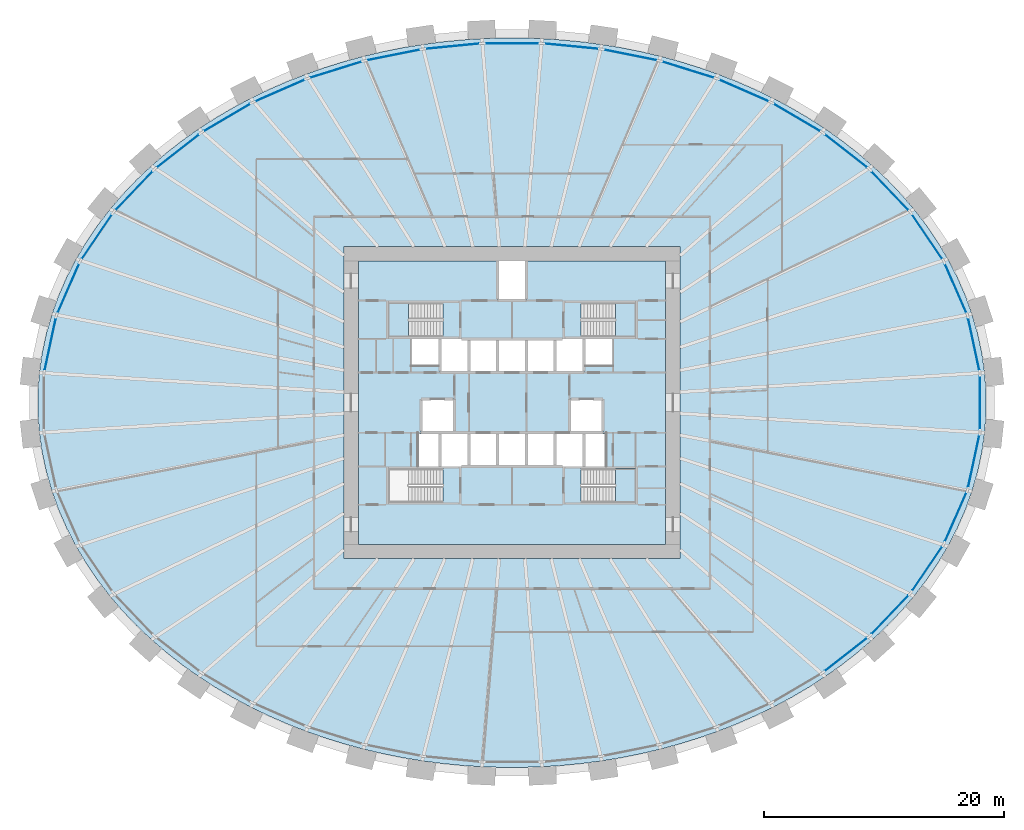
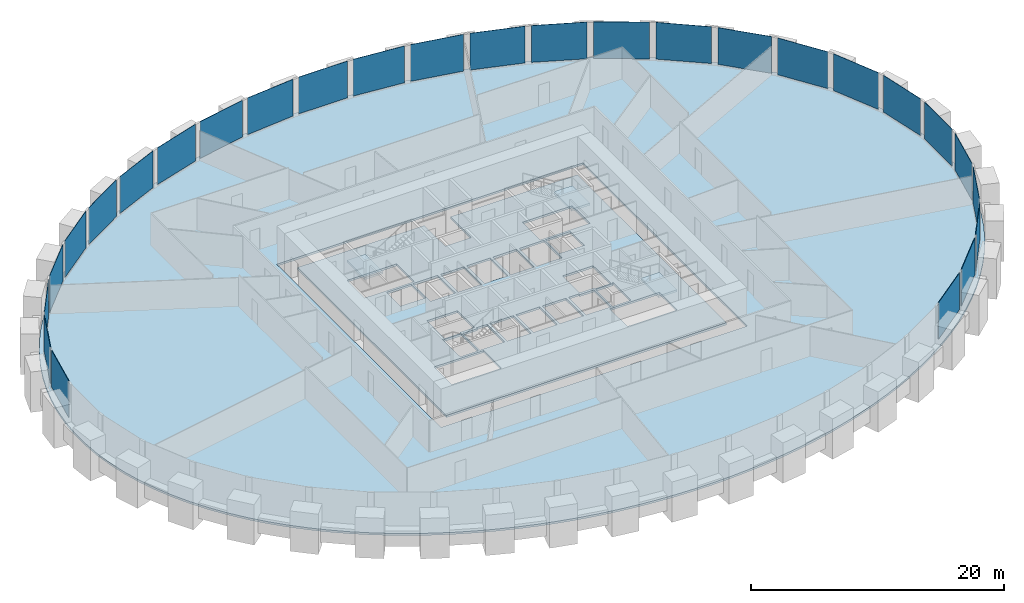
# One storey, part 5 of 11: 27 plates, 5 slabs, 4 elements without a shape of their own.
"""IFC4 building model written with IfcOpenShell, lengths in metres."""

from ifc_helpers import new_model, si_unit, direction, frame, origin, origin_2d, place, context, subcontext, project, spatial, polyline, rectangle, outline, extrude, source, transform, mapped, material, layer, layer_set, type_object, element, aggregate, save


model = new_model("IFC4")

# Units and contexts
model_context = context("Model", 3, precision=1e-05, world=origin(), true_north=direction((0.0, 1.0)))
body_context = subcontext(model_context, "Body", "Model", "MODEL_VIEW")
ifc_project = project(units=[si_unit("LENGTHUNIT", "METRE"), si_unit("AREAUNIT", "SQUARE_METRE"), si_unit("VOLUMEUNIT", "CUBIC_METRE"), si_unit("PLANEANGLEUNIT", "RADIAN"), si_unit("MASSUNIT", "GRAM", prefix="KILO")], contexts=[model_context])

# Site, building, storey
site_placement = place(None, origin())
site = spatial("IfcSite", under=ifc_project, at=site_placement, CompositionType="ELEMENT")
building_placement = place(site_placement, origin())
building = spatial("IfcBuilding", under=site, at=building_placement, Name="Embergate Tower", CompositionType="ELEMENT")
storey_placement = place(building_placement, frame((0.0, 0.0, 109.39990234375)))
storey = spatial("IfcBuildingStorey", under=building, at=storey_placement, Name="L23", CompositionType="ELEMENT", Elevation=109.39990234375)

# Slab
ifc_material_1 = material(Name="Concrete C40", Category="concrete")
ifc_layer_1 = layer(ifc_material_1, 0.199951171875)
ifc_layer_set_1 = layer_set([ifc_layer_1], Name="Concrete C40")
slab_type_1 = type_object("IfcSlabType", Name="Composite floor slab C40 200", PredefinedType="FLOOR", material=ifc_layer_set_1)
shared_shape_1 = source(origin(), body_context, "Body", "SweptSolid", [
    extrude(outline(polyline([(0.0, 0.0), (1.671875, 0.0), (3.3408203125, 0.053955078125), (5.011962890625, 0.162841796875), (6.675048828125, 0.326904296875), (8.327880859375, 0.5439453125), (9.98291015625, 0.81884765625), (11.621826171875, 1.14697265625), (13.240966796875, 1.530029296875), (14.863037109375, 1.972900390625), (16.458984375, 2.469970703125), (18.02490234375, 3.02001953125), (19.593017578125, 3.635986328125), (21.1240234375, 4.304931640625), (22.614990234375, 5.02685546875), (24.10498046875, 5.822021484375), (25.544921875, 6.6689453125), (26.932861328125, 7.56591796875), (28.31298828125, 8.544921875), (29.6298828125, 9.572998046875), (30.8818359375, 10.64794921875), (32.11083984375, 11.81201171875), (33.263916015625, 13.02099609375), (34.337890625, 14.27197265625), (35.367919921875, 15.614013671875), (36.306884765625, 16.994873046875), (37.15283203125, 18.411865234375), (37.927978515625, 19.911865234375), (38.598876953125, 21.44091796875), (39.162841796875, 22.995849609375), (39.62890625, 24.61083984375), (39.98095703125, 26.242919921875), (40.2158203125, 27.886962890625), (40.3349609375, 29.553955078125), (40.3349609375, 31.223876953125), (40.2158203125, 32.890869140625), (39.98095703125, 34.534912109375), (39.62890625, 36.1669921875), (39.162841796875, 37.781982421875), (38.598876953125, 39.3369140625), (37.927978515625, 40.865966796875), (37.15283203125, 42.365966796875), (36.306884765625, 43.782958984375), (35.367919921875, 45.163818359375), (34.337890625, 46.505859375), (33.263916015625, 47.7568359375), (32.11083984375, 48.9658203125), (30.8818359375, 50.1298828125), (29.6298828125, 51.204833984375), (28.31298828125, 52.23291015625), (26.932861328125, 53.2119140625), (25.544921875, 54.10888671875), (24.10498046875, 54.955810546875), (22.614990234375, 55.7509765625), (21.1240234375, 56.472900390625), (19.593017578125, 57.141845703125), (18.02490234375, 57.7578125), (16.458984375, 58.307861328125), (14.863037109375, 58.804931640625), (13.240966796875, 59.247802734375), (11.621826171875, 59.630859375), (9.98291015625, 59.958984375), (8.327880859375, 60.23388671875), (6.675048828125, 60.450927734375), (5.011962890625, 60.614990234375), (3.3408203125, 60.723876953125), (1.671875, 60.77783203125), (0.0, 60.77783203125), (-1.6689453125, 60.723876953125), (-3.340087890625, 60.614990234375), (-5.003173828125, 60.450927734375), (-6.656005859375, 60.23388671875), (-8.31103515625, 59.958984375), (-9.949951171875, 59.630859375), (-11.569091796875, 59.247802734375), (-13.191162109375, 58.804931640625), (-14.787109375, 58.307861328125), (-16.35302734375, 57.7578125), (-17.921142578125, 57.141845703125), (-19.4521484375, 56.472900390625), (-20.943115234375, 55.7509765625), (-22.43310546875, 54.955810546875), (-23.873046875, 54.10888671875), (-25.260986328125, 53.2119140625), (-26.64111328125, 52.23291015625), (-27.9580078125, 51.204833984375), (-29.2099609375, 50.1298828125), (-30.43896484375, 48.9658203125), (-31.592041015625, 47.7568359375), (-32.666015625, 46.505859375), (-33.696044921875, 45.163818359375), (-34.635009765625, 43.782958984375), (-35.48095703125, 42.365966796875), (-36.256103515625, 40.865966796875), (-36.927001953125, 39.3369140625), (-37.490966796875, 37.781982421875), (-37.95703125, 36.1669921875), (-38.30908203125, 34.534912109375), (-38.5439453125, 32.890869140625), (-38.6630859375, 31.223876953125), (-38.6630859375, 29.553955078125), (-38.5439453125, 27.886962890625), (-38.30908203125, 26.242919921875), (-37.95703125, 24.61083984375), (-37.490966796875, 22.995849609375), (-36.927001953125, 21.44091796875), (-36.256103515625, 19.911865234375), (-35.48095703125, 18.411865234375), (-34.635009765625, 16.994873046875), (-33.696044921875, 15.614013671875), (-32.666015625, 14.27197265625), (-31.592041015625, 13.02099609375), (-30.43896484375, 11.81201171875), (-29.2099609375, 10.64794921875), (-27.9580078125, 9.572998046875), (-26.64111328125, 8.544921875), (-25.260986328125, 7.56591796875), (-23.873046875, 6.6689453125), (-22.43310546875, 5.822021484375), (-20.943115234375, 5.02685546875), (-19.4521484375, 4.304931640625), (-17.921142578125, 3.635986328125), (-16.35302734375, 3.02001953125), (-14.787109375, 2.469970703125), (-13.191162109375, 1.972900390625), (-11.569091796875, 1.530029296875), (-9.949951171875, 1.14697265625), (-8.31103515625, 0.81884765625), (-6.656005859375, 0.5439453125), (-5.003173828125, 0.326904296875), (-3.340087890625, 0.162841796875), (-1.6689453125, 0.053955078125), (0.0, 0.0)]), holes=[polyline([(-13.1640625, 17.388916015625), (-13.1640625, 43.388916015625), (14.8359375, 43.388916015625), (14.8359375, 17.388916015625), (-13.1640625, 17.388916015625)])]), origin(), (0.0, 0.0, 1.0), 0.199951171875),
])
slab_1_placement = place(storey_placement, frame((-0.8359375, -30.388916015625, -0.199951171875)))
element("IfcSlab", 1, at=slab_1_placement, inside=storey, type_object=slab_type_1, Name="SLB-L23-00", PredefinedType="FLOOR", context=body_context, shape_type="MappedRepresentation", body=[
    mapped(shared_shape_1, transform((0.0, 0.0, 0.0))),
])

# Curtain wall, plates
ifc_material_2 = material(Name="Aluminium and glass", Category="aluminium")
curtain_wall_type = type_object("IfcCurtainWallType", Name="Recessed office glazing", PredefinedType="NOTDEFINED", material=ifc_material_2)
curtain_wall_placement = place(storey_placement, origin())
curtain_wall = element("IfcCurtainWall", 2, at=curtain_wall_placement, inside=storey, type_object=curtain_wall_type, Name="Recessed office glazing ring", ObjectType="RECESSED OFFICE GLAZING", PredefinedType="USERDEFINED")
ifc_material_3 = material(Name="Triple glazing, low-emissivity coating", Category="glass")
ifc_layer_2 = layer(ifc_material_3, 0.035888671875)
ifc_layer_set_2 = layer_set([ifc_layer_2], Name="Triple glazing, low-emissivity coating")
plate_type = type_object("IfcPlateType", Name="Office glazing unit", PredefinedType="CURTAIN_PANEL", material=ifc_layer_set_2)
shared_shape_2 = source(origin(), body_context, "Body", "SweptSolid", [
    extrude(rectangle(XDim=4.40283203125, YDim=0.035888671875, at=origin_2d()), origin(), (0.0, 0.0, 1.0), 3.550048828125),
])
plate_1_placement = place(storey_placement, frame((38.474365234375, 4.8662109375, 0.14990234375), z_axis=(0.0, 0.0, 1.0), x_axis=(-0.210391566126, 0.977617199574, 0.0)))
plate_1 = element("IfcPlate", 3, at=plate_1_placement, type_object=plate_type, Name="CW panel 1.1", PredefinedType="CURTAIN_PANEL", context=body_context, shape_type="MappedRepresentation", body=[
    mapped(shared_shape_2, transform((0.0, 0.0, 0.0))),
])
plate_2_placement = place(storey_placement, frame((-38.474365234375, 4.8662109375, 0.14990234375), z_axis=(0.0, 0.0, 1.0), x_axis=(-0.210391566126, -0.977617199574, 0.0)))
plate_2 = element("IfcPlate", 4, at=plate_2_placement, type_object=plate_type, Name="CW panel 21.1", PredefinedType="CURTAIN_PANEL", context=body_context, shape_type="MappedRepresentation", body=[
    mapped(shared_shape_2, transform((0.0, 0.0, 0.0))),
])
plate_3_placement = place(storey_placement, frame((38.474365234375, -4.8662109375, 0.14990234375), z_axis=(0.0, 0.0, 1.0), x_axis=(0.210391566126, 0.977617199574, 0.0)))
plate_3 = element("IfcPlate", 5, at=plate_3_placement, type_object=plate_type, Name="CW panel 43.1", PredefinedType="CURTAIN_PANEL", context=body_context, shape_type="MappedRepresentation", body=[
    mapped(shared_shape_2, transform((0.0, 0.0, 0.0))),
])
shared_shape_3 = source(origin(), body_context, "Body", "SweptSolid", [
    extrude(rectangle(XDim=4.409912109375, YDim=0.035888671875, at=origin_2d()), origin(), (0.0, 0.0, 1.0), 3.550048828125),
])
plate_4_placement = place(storey_placement, frame((36.966552734375, 9.52978515625, 0.14990234375), z_axis=(0.0, 0.0, 1.0), x_axis=(-0.401644109346, 0.915795833921, 0.0)))
plate_4 = element("IfcPlate", 6, at=plate_4_placement, type_object=plate_type, Name="CW panel 2.1", PredefinedType="CURTAIN_PANEL", context=body_context, shape_type="MappedRepresentation", body=[
    mapped(shared_shape_3, transform((0.0, 0.0, 0.0))),
])
plate_5_placement = place(storey_placement, frame((-36.966552734375, 9.52978515625, 0.14990234375), z_axis=(0.0, 0.0, 1.0), x_axis=(-0.401644109346, -0.915795833921, 0.0)))
plate_5 = element("IfcPlate", 7, at=plate_5_placement, type_object=plate_type, Name="CW panel 20.1", PredefinedType="CURTAIN_PANEL", context=body_context, shape_type="MappedRepresentation", body=[
    mapped(shared_shape_3, transform((0.0, 0.0, 0.0))),
])
plate_6_placement = place(storey_placement, frame((36.966552734375, -9.52978515625, 0.14990234375), z_axis=(0.0, 0.0, 1.0), x_axis=(0.401644109346, 0.915795833921, 0.0)))
plate_6 = element("IfcPlate", 8, at=plate_6_placement, type_object=plate_type, Name="CW panel 42.1", PredefinedType="CURTAIN_PANEL", context=body_context, shape_type="MappedRepresentation", body=[
    mapped(shared_shape_3, transform((0.0, 0.0, 0.0))),
])
shared_shape_4 = source(origin(), body_context, "Body", "SweptSolid", [
    extrude(rectangle(XDim=4.418701171875, YDim=0.035888671875, at=origin_2d()), origin(), (0.0, 0.0, 1.0), 3.550048828125),
])
plate_7_placement = place(storey_placement, frame((34.587890625, 13.8291015625, 0.14990234375), z_axis=(0.0, 0.0, 1.0), x_axis=(-0.562331639324, 0.826911801473, 0.0)))
plate_7 = element("IfcPlate", 9, at=plate_7_placement, type_object=plate_type, Name="CW panel 3.1", PredefinedType="CURTAIN_PANEL", context=body_context, shape_type="MappedRepresentation", body=[
    mapped(shared_shape_4, transform((0.0, 0.0, 0.0))),
])
plate_8_placement = place(storey_placement, frame((-34.587890625, 13.8291015625, 0.14990234375), z_axis=(0.0, 0.0, 1.0), x_axis=(-0.562331639324, -0.826911801473, 0.0)))
plate_8 = element("IfcPlate", 10, at=plate_8_placement, type_object=plate_type, Name="CW panel 19.1", PredefinedType="CURTAIN_PANEL", context=body_context, shape_type="MappedRepresentation", body=[
    mapped(shared_shape_4, transform((0.0, 0.0, 0.0))),
])
plate_9_placement = place(storey_placement, frame((34.587890625, -13.8291015625, 0.14990234375), z_axis=(0.0, 0.0, 1.0), x_axis=(0.562331639324, 0.826911801473, 0.0)))
plate_9 = element("IfcPlate", 11, at=plate_9_placement, type_object=plate_type, Name="CW panel 41.1", PredefinedType="CURTAIN_PANEL", context=body_context, shape_type="MappedRepresentation", body=[
    mapped(shared_shape_4, transform((0.0, 0.0, 0.0))),
])
shared_shape_5 = source(origin(), body_context, "Body", "SweptSolid", [
    extrude(rectangle(XDim=4.427490234375, YDim=0.035888671875, at=origin_2d()), origin(), (0.0, 0.0, 1.0), 3.550048828125),
])
plate_10_placement = place(storey_placement, frame((31.4921875, 17.661376953125, 0.14990234375), z_axis=(0.0, 0.0, 1.0), x_axis=(-0.690124942972, 0.723690239735, 0.0)))
plate_10 = element("IfcPlate", 12, at=plate_10_placement, type_object=plate_type, Name="CW panel 4.1", PredefinedType="CURTAIN_PANEL", context=body_context, shape_type="MappedRepresentation", body=[
    mapped(shared_shape_5, transform((0.0, 0.0, 0.0))),
])
plate_11_placement = place(storey_placement, frame((-31.4921875, 17.661376953125, 0.14990234375), z_axis=(0.0, 0.0, 1.0), x_axis=(-0.690124942972, -0.723690239735, 0.0)))
plate_11 = element("IfcPlate", 13, at=plate_11_placement, type_object=plate_type, Name="CW panel 18.1", PredefinedType="CURTAIN_PANEL", context=body_context, shape_type="MappedRepresentation", body=[
    mapped(shared_shape_5, transform((0.0, 0.0, 0.0))),
])
plate_12_placement = place(storey_placement, frame((31.4921875, -17.661376953125, 0.14990234375), z_axis=(0.0, 0.0, 1.0), x_axis=(0.690124942972, 0.723690239735, 0.0)))
plate_12 = element("IfcPlate", 14, at=plate_12_placement, type_object=plate_type, Name="CW panel 40.1", PredefinedType="CURTAIN_PANEL", context=body_context, shape_type="MappedRepresentation", body=[
    mapped(shared_shape_5, transform((0.0, 0.0, 0.0))),
])
shared_shape_6 = source(origin(), body_context, "Body", "SweptSolid", [
    extrude(rectangle(XDim=4.434814453125, YDim=0.035888671875, at=origin_2d()), origin(), (0.0, 0.0, 1.0), 3.550048828125),
])
plate_13_placement = place(storey_placement, frame((27.831787109375, 20.975830078125, 0.14990234375), z_axis=(0.0, 0.0, 1.0), x_axis=(-0.788312602312, 0.615274931259, 0.0)))
plate_13 = element("IfcPlate", 15, at=plate_13_placement, type_object=plate_type, Name="CW panel 5.1", PredefinedType="CURTAIN_PANEL", context=body_context, shape_type="MappedRepresentation", body=[
    mapped(shared_shape_6, transform((0.0, 0.0, 0.0))),
])
plate_14_placement = place(storey_placement, frame((-27.831787109375, 20.975830078125, 0.14990234375), z_axis=(0.0, 0.0, 1.0), x_axis=(-0.788312602312, -0.615274931259, 0.0)))
plate_14 = element("IfcPlate", 16, at=plate_14_placement, type_object=plate_type, Name="CW panel 17.1", PredefinedType="CURTAIN_PANEL", context=body_context, shape_type="MappedRepresentation", body=[
    mapped(shared_shape_6, transform((0.0, 0.0, 0.0))),
])
plate_15_placement = place(storey_placement, frame((27.831787109375, -20.975830078125, 0.14990234375), z_axis=(0.0, 0.0, 1.0), x_axis=(0.788312602312, 0.615274931259, 0.0)))
plate_15 = element("IfcPlate", 17, at=plate_15_placement, type_object=plate_type, Name="CW panel 39.1", PredefinedType="CURTAIN_PANEL", context=body_context, shape_type="MappedRepresentation", body=[
    mapped(shared_shape_6, transform((0.0, 0.0, 0.0))),
])
shared_shape_7 = source(origin(), body_context, "Body", "SweptSolid", [
    extrude(rectangle(XDim=4.44091796875, YDim=0.035888671875, at=origin_2d()), origin(), (0.0, 0.0, 1.0), 3.550048828125),
])
plate_16_placement = place(storey_placement, frame((23.740478515625, 23.75732421875, 0.14990234375), z_axis=(0.0, 0.0, 1.0), x_axis=(-0.86204786038, 0.506826880122, 0.0)))
plate_16 = element("IfcPlate", 18, at=plate_16_placement, type_object=plate_type, Name="CW panel 6.1", PredefinedType="CURTAIN_PANEL", context=body_context, shape_type="MappedRepresentation", body=[
    mapped(shared_shape_7, transform((0.0, 0.0, 0.0))),
])
plate_17_placement = place(storey_placement, frame((-23.740478515625, 23.75732421875, 0.14990234375), z_axis=(0.0, 0.0, 1.0), x_axis=(-0.86204786038, -0.506826880122, 0.0)))
plate_17 = element("IfcPlate", 19, at=plate_17_placement, type_object=plate_type, Name="CW panel 16.1", PredefinedType="CURTAIN_PANEL", context=body_context, shape_type="MappedRepresentation", body=[
    mapped(shared_shape_7, transform((0.0, 0.0, 0.0))),
])
shared_shape_8 = source(origin(), body_context, "Body", "SweptSolid", [
    extrude(rectangle(XDim=4.445556640625, YDim=0.035888671875, at=origin_2d()), origin(), (0.0, 0.0, 1.0), 3.550048828125),
])
plate_18_placement = place(storey_placement, frame((19.32763671875, 26.00927734375, 0.14990234375), z_axis=(0.0, 0.0, 1.0), x_axis=(-0.916232715476, 0.400646491426, 0.0)))
plate_18 = element("IfcPlate", 20, at=plate_18_placement, type_object=plate_type, Name="CW panel 7.1", PredefinedType="CURTAIN_PANEL", context=body_context, shape_type="MappedRepresentation", body=[
    mapped(shared_shape_8, transform((0.0, 0.0, 0.0))),
])
plate_19_placement = place(storey_placement, frame((-19.32763671875, 26.00927734375, 0.14990234375), z_axis=(0.0, 0.0, 1.0), x_axis=(-0.916232715476, -0.400646491426, 0.0)))
plate_19 = element("IfcPlate", 21, at=plate_19_placement, type_object=plate_type, Name="CW panel 15.1", PredefinedType="CURTAIN_PANEL", context=body_context, shape_type="MappedRepresentation", body=[
    mapped(shared_shape_8, transform((0.0, 0.0, 0.0))),
])
shared_shape_9 = source(origin(), body_context, "Body", "SweptSolid", [
    extrude(rectangle(XDim=4.44873046875, YDim=0.035888671875, at=origin_2d()), origin(), (0.0, 0.0, 1.0), 3.550048828125),
])
plate_20_placement = place(storey_placement, frame((14.680908203125, 27.74267578125, 0.14990234375), z_axis=(0.0, 0.0, 1.0), x_axis=(-0.954770141339, 0.297344879236, 0.0)))
plate_20 = element("IfcPlate", 22, at=plate_20_placement, type_object=plate_type, Name="CW panel 8.1", PredefinedType="CURTAIN_PANEL", context=body_context, shape_type="MappedRepresentation", body=[
    mapped(shared_shape_9, transform((0.0, 0.0, 0.0))),
])
plate_21_placement = place(storey_placement, frame((-14.680908203125, 27.74267578125, 0.14990234375), z_axis=(0.0, 0.0, 1.0), x_axis=(-0.954770141339, -0.297344879236, 0.0)))
plate_21 = element("IfcPlate", 23, at=plate_21_placement, type_object=plate_type, Name="CW panel 14.1", PredefinedType="CURTAIN_PANEL", context=body_context, shape_type="MappedRepresentation", body=[
    mapped(shared_shape_9, transform((0.0, 0.0, 0.0))),
])
shared_shape_10 = source(origin(), body_context, "Body", "SweptSolid", [
    extrude(rectangle(XDim=4.450927734375, YDim=0.035888671875, at=origin_2d()), origin(), (0.0, 0.0, 1.0), 3.550048828125),
])
plate_22_placement = place(storey_placement, frame((9.871826171875, 28.97021484375, 0.14990234375), z_axis=(0.0, 0.0, 1.0), x_axis=(-0.980474877795, 0.196644384646, 0.0)))
plate_22 = element("IfcPlate", 24, at=plate_22_placement, type_object=plate_type, Name="CW panel 9.1", PredefinedType="CURTAIN_PANEL", context=body_context, shape_type="MappedRepresentation", body=[
    mapped(shared_shape_10, transform((0.0, 0.0, 0.0))),
])
plate_23_placement = place(storey_placement, frame((-9.871826171875, 28.97021484375, 0.14990234375), z_axis=(0.0, 0.0, 1.0), x_axis=(-0.980474877795, -0.196644384646, 0.0)))
plate_23 = element("IfcPlate", 25, at=plate_23_placement, type_object=plate_type, Name="CW panel 13.1", PredefinedType="CURTAIN_PANEL", context=body_context, shape_type="MappedRepresentation", body=[
    mapped(shared_shape_10, transform((0.0, 0.0, 0.0))),
])
shared_shape_11 = source(origin(), body_context, "Body", "SweptSolid", [
    extrude(rectangle(XDim=4.452392578125, YDim=0.035888671875, at=origin_2d()), origin(), (0.0, 0.0, 1.0), 3.550048828125),
])
plate_24_placement = place(storey_placement, frame((4.960693359375, 29.7021484375, 0.14990234375), z_axis=(0.0, 0.0, 1.0), x_axis=(-0.995203014042, 0.097831287645, 0.0)))
plate_24 = element("IfcPlate", 26, at=plate_24_placement, type_object=plate_type, Name="CW panel 10.1", PredefinedType="CURTAIN_PANEL", context=body_context, shape_type="MappedRepresentation", body=[
    mapped(shared_shape_11, transform((0.0, 0.0, 0.0))),
])
plate_25_placement = place(storey_placement, frame((-4.960693359375, 29.7021484375, 0.14990234375), z_axis=(0.0, 0.0, 1.0), x_axis=(-0.995203014042, -0.097831287645, 0.0)))
plate_25 = element("IfcPlate", 27, at=plate_25_placement, type_object=plate_type, Name="CW panel 12.1", PredefinedType="CURTAIN_PANEL", context=body_context, shape_type="MappedRepresentation", body=[
    mapped(shared_shape_11, transform((0.0, 0.0, 0.0))),
])
shared_shape_12 = source(origin(), body_context, "Body", "SweptSolid", [
    extrude(rectangle(XDim=4.45263671875, YDim=0.035888671875, at=origin_2d()), origin(), (0.0, 0.0, 1.0), 3.550048828125),
])
plate_26_placement = place(storey_placement, frame((0.0, 29.9453125, 0.14990234375), z_axis=(0.0, 0.0, 1.0), x_axis=(-1.0, 0.0, 0.0)))
plate_26 = element("IfcPlate", 28, at=plate_26_placement, type_object=plate_type, Name="CW panel 11.1", PredefinedType="CURTAIN_PANEL", context=body_context, shape_type="MappedRepresentation", body=[
    mapped(shared_shape_12, transform((0.0, 0.0, 0.0))),
])
shared_shape_13 = source(origin(), body_context, "Body", "SweptSolid", [
    extrude(rectangle(XDim=4.39990234375, YDim=0.035888671875, at=origin_2d()), origin(), (0.0, 0.0, 1.0), 3.550048828125),
])
plate_27_placement = place(storey_placement, frame((38.9921875, 0.0, 0.14990234375), z_axis=(0.0, 0.0, 1.0), x_axis=(0.0, 1.0, 0.0)))
plate_27 = element("IfcPlate", 29, at=plate_27_placement, type_object=plate_type, Name="CW panel 44.1", PredefinedType="CURTAIN_PANEL", context=body_context, shape_type="MappedRepresentation", body=[
    mapped(shared_shape_13, transform((0.0, 0.0, 0.0))),
])
aggregate(curtain_wall, [plate_1, plate_4, plate_7, plate_10, plate_13, plate_16, plate_18, plate_20, plate_22, plate_24, plate_26, plate_25, plate_23, plate_21, plate_19, plate_17, plate_14, plate_11, plate_8, plate_5, plate_2, plate_15, plate_12, plate_9, plate_6, plate_3, plate_27])

# Stair, slab
ifc_material_4 = material(Name="Exit stair")
stair_type = type_object("IfcStairType", Name="Exit stair", PredefinedType="HALF_TURN_STAIR", material=ifc_material_4)
stair_1_placement = place(storey_placement, origin())
stair_1 = element("IfcStair", 30, at=stair_1_placement, inside=storey, type_object=stair_type, Name="L23 Exit stair 1", PredefinedType="HALF_TURN_STAIR")
ifc_layer_3 = layer(ifc_material_1, 0.199951171875)
ifc_layer_set_3 = layer_set([ifc_layer_3], Name="Concrete C40")
slab_type_2 = type_object("IfcSlabType", Name="Stair landing reinforced concrete", PredefinedType="LANDING", material=ifc_layer_set_3)
shared_shape_14 = source(origin(), body_context, "Body", "SweptSolid", [
    extrude(outline(polyline([(0.0, 0.0), (1.68994140625, 0.0), (1.68994140625, 2.800048828125), (0.0, 2.800048828125), (0.0, 0.0)])), origin(), (0.0, 0.0, 1.0), 0.2001953125),
])
slab_2_placement = place(storey_placement, frame((-10.300048828125, 5.5, 1.75)))
slab_2 = element("IfcSlab", 31, at=slab_2_placement, type_object=slab_type_2, Name="ST1 landing 1", PredefinedType="LANDING", context=body_context, shape_type="MappedRepresentation", body=[
    mapped(shared_shape_14, transform((0.0, 0.0, 0.0))),
])
aggregate(stair_1, [slab_2])

stair_2_placement = place(storey_placement, origin())
stair_2 = element("IfcStair", 32, at=stair_2_placement, inside=storey, type_object=stair_type, Name="L23 Exit stair 2", PredefinedType="HALF_TURN_STAIR")
slab_3_placement = place(storey_placement, frame((8.610107421875, 5.5, 1.75)))
slab_3 = element("IfcSlab", 33, at=slab_3_placement, type_object=slab_type_2, Name="ST2 landing 1", PredefinedType="LANDING", context=body_context, shape_type="MappedRepresentation", body=[
    mapped(shared_shape_14, transform((0.0, 0.0, 0.0))),
])
aggregate(stair_2, [slab_3])

stair_3_placement = place(storey_placement, origin())
stair_3 = element("IfcStair", 34, at=stair_3_placement, inside=storey, type_object=stair_type, Name="L23 Exit stair 4", PredefinedType="HALF_TURN_STAIR")
slab_4_placement = place(storey_placement, frame((8.610107421875, -8.300048828125, 1.75)))
slab_4 = element("IfcSlab", 35, at=slab_4_placement, type_object=slab_type_2, Name="ST4 landing 1", PredefinedType="LANDING", context=body_context, shape_type="MappedRepresentation", body=[
    mapped(shared_shape_14, transform((0.0, 0.0, 0.0))),
])
aggregate(stair_3, [slab_4])

# Slab
ifc_layer_4 = layer(ifc_material_1, 0.199951171875)
ifc_layer_set_4 = layer_set([ifc_layer_4], Name="Concrete C40")
slab_type_3 = type_object("IfcSlabType", Name="Core floor slab 200 reinforced concrete", PredefinedType="FLOOR", material=ifc_layer_set_4)
shared_shape_15 = source(origin(), body_context, "Body", "SweptSolid", [
    extrude(outline(polyline([(0.0, 0.0), (25.60009765625, 0.0), (25.60009765625, 23.60009765625), (14.0, 23.60009765625), (14.0, 20.300048828125), (11.60009765625, 20.300048828125), (11.60009765625, 23.60009765625), (0.0, 23.60009765625), (0.0, 0.0)]), holes=[polyline([(2.5, 3.5), (2.5, 6.300048828125), (7.0400390625, 6.300048828125), (7.0400390625, 3.5), (2.5, 3.5)]), polyline([(18.56005859375, 3.5), (18.56005859375, 6.300048828125), (23.10009765625, 6.300048828125), (23.10009765625, 3.5), (18.56005859375, 3.5)]), polyline([(5.0, 6.5), (5.0, 9.300048828125), (5.074951171875, 9.300048828125), (5.074951171875, 9.175048828125), (6.675048828125, 9.175048828125), (6.675048828125, 6.5), (5.0, 6.5)]), polyline([(6.800048828125, 6.5), (6.800048828125, 9.175048828125), (8.125, 9.175048828125), (8.125, 9.300048828125), (9.074951171875, 9.300048828125), (9.074951171875, 6.5), (6.800048828125, 6.5)]), polyline([(9.324951171875, 6.5), (9.324951171875, 9.300048828125), (11.47509765625, 9.300048828125), (11.47509765625, 6.5), (9.324951171875, 6.5)]), polyline([(11.72509765625, 6.5), (11.72509765625, 9.300048828125), (13.875, 9.300048828125), (13.875, 6.5), (11.72509765625, 6.5)]), polyline([(14.125, 6.5), (14.125, 9.300048828125), (16.275146484375, 9.300048828125), (16.275146484375, 6.5), (14.125, 6.5)]), polyline([(16.525146484375, 6.5), (16.525146484375, 9.300048828125), (17.47509765625, 9.300048828125), (17.47509765625, 9.175048828125), (18.800048828125, 9.175048828125), (18.800048828125, 6.5), (16.525146484375, 6.5)]), polyline([(18.925048828125, 6.5), (18.925048828125, 9.175048828125), (20.525146484375, 9.175048828125), (20.525146484375, 9.300048828125), (20.60009765625, 9.300048828125), (20.60009765625, 6.5), (18.925048828125, 6.5)]), polyline([(5.199951171875, 9.300048828125), (5.199951171875, 12.10009765625), (8.0, 12.10009765625), (8.0, 9.425048828125), (6.675048828125, 9.425048828125), (6.675048828125, 9.300048828125), (5.199951171875, 9.300048828125)]), polyline([(18.925048828125, 9.300048828125), (18.925048828125, 9.425048828125), (17.60009765625, 9.425048828125), (17.60009765625, 12.10009765625), (20.400146484375, 12.10009765625), (20.400146484375, 9.300048828125), (18.925048828125, 9.300048828125)]), polyline([(6.800048828125, 14.300048828125), (6.800048828125, 17.10009765625), (9.074951171875, 17.10009765625), (9.074951171875, 14.300048828125), (6.800048828125, 14.300048828125)]), polyline([(9.324951171875, 14.300048828125), (9.324951171875, 17.10009765625), (11.47509765625, 17.10009765625), (11.47509765625, 14.300048828125), (9.324951171875, 14.300048828125)]), polyline([(11.72509765625, 14.300048828125), (11.72509765625, 17.10009765625), (13.875, 17.10009765625), (13.875, 14.300048828125), (11.72509765625, 14.300048828125)]), polyline([(14.125, 14.300048828125), (14.125, 17.10009765625), (16.275146484375, 17.10009765625), (16.275146484375, 14.300048828125), (14.125, 14.300048828125)]), polyline([(16.525146484375, 14.300048828125), (16.525146484375, 17.10009765625), (18.800048828125, 17.10009765625), (18.800048828125, 14.300048828125), (16.525146484375, 14.300048828125)]), polyline([(4.400146484375, 14.900146484375), (4.400146484375, 17.10009765625), (6.675048828125, 17.10009765625), (6.675048828125, 14.900146484375), (4.400146484375, 14.900146484375)]), polyline([(18.925048828125, 14.900146484375), (18.925048828125, 17.10009765625), (21.199951171875, 17.10009765625), (21.199951171875, 14.900146484375), (18.925048828125, 14.900146484375)]), polyline([(2.5, 17.300048828125), (2.5, 20.10009765625), (7.0400390625, 20.10009765625), (7.0400390625, 17.300048828125), (2.5, 17.300048828125)]), polyline([(18.56005859375, 17.300048828125), (18.56005859375, 20.10009765625), (23.10009765625, 20.10009765625), (23.10009765625, 17.300048828125), (18.56005859375, 17.300048828125)])]), origin(), (0.0, 0.0, 1.0), 0.199951171875),
])
slab_5_placement = place(storey_placement, frame((-12.800048828125, -11.800048828125, -0.199951171875)))
element("IfcSlab", 36, at=slab_5_placement, inside=storey, type_object=slab_type_3, Name="Core floor slab", PredefinedType="FLOOR", context=body_context, shape_type="MappedRepresentation", body=[
    mapped(shared_shape_15, transform((0.0, 0.0, 0.0))),
])

save(model, "model.ifc")
